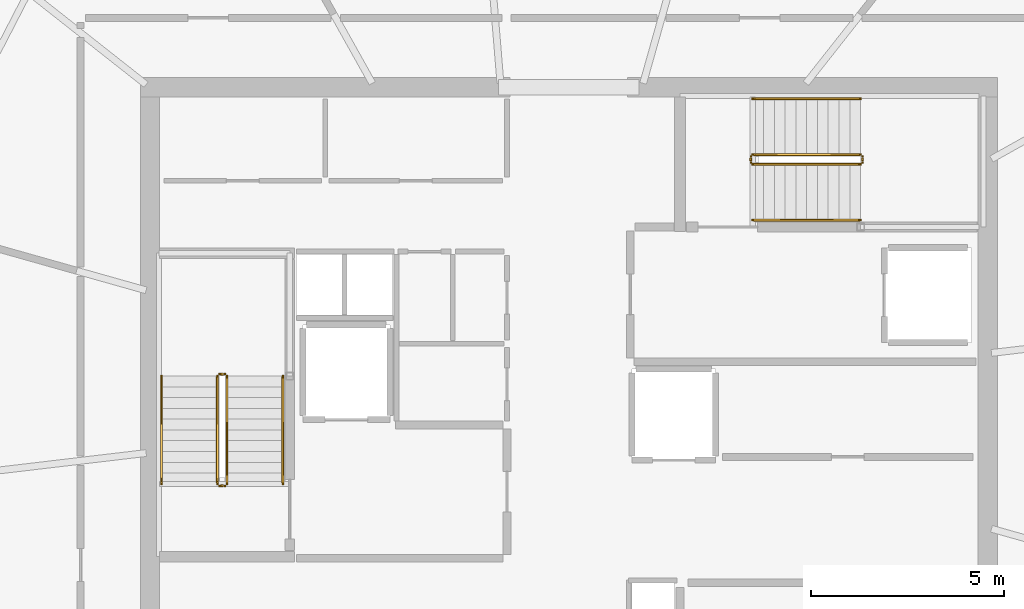
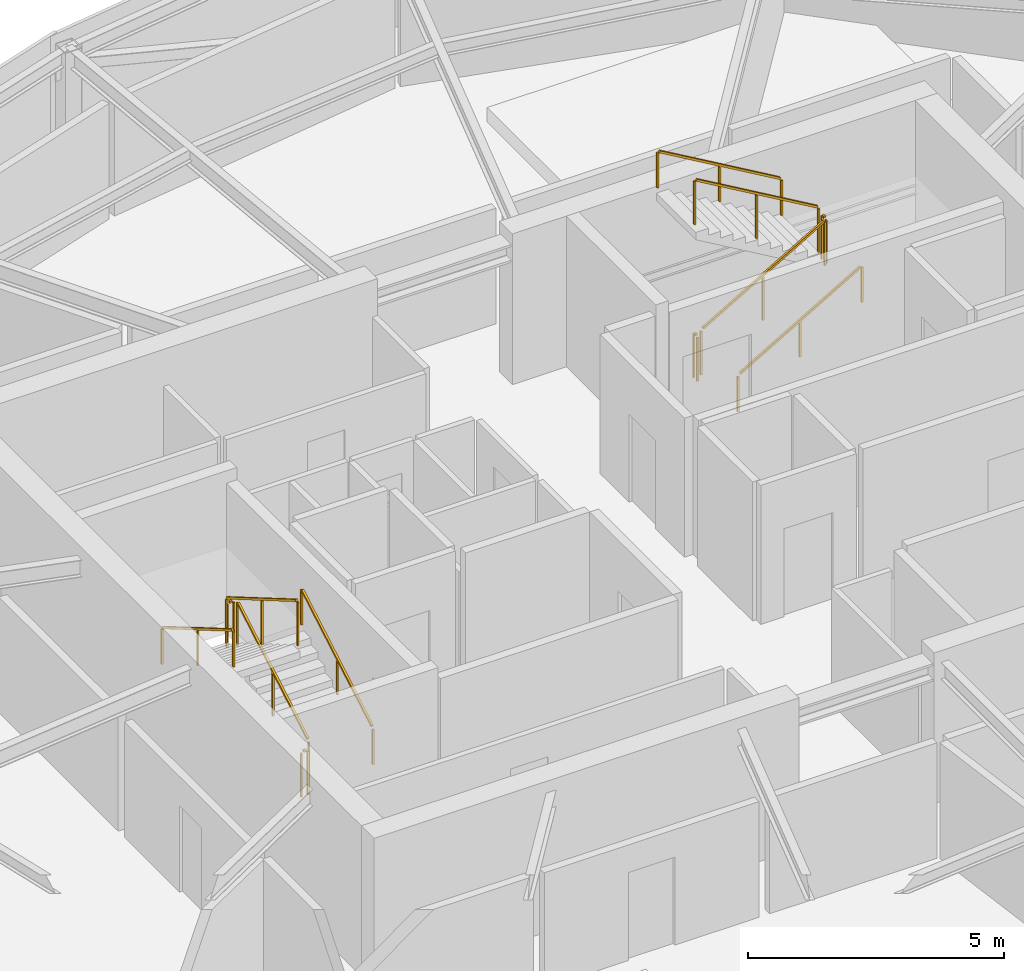
# One storey, part 10 of 10: 12 railings.
"""IFC4 building model written with IfcOpenShell, lengths in metres."""

from ifc_helpers import new_model, si_unit, direction, frame, origin, origin_2d, place, context, subcontext, project, spatial, rectangle, extrude, material, type_object, element, save


model = new_model("IFC4")

# Units and contexts
model_context = context("Model", 3, precision=1e-05, world=origin(), true_north=direction((0.0, 1.0)))
body_context = subcontext(model_context, "Body", "Model", "MODEL_VIEW")
ifc_project = project(units=[si_unit("LENGTHUNIT", "METRE"), si_unit("AREAUNIT", "SQUARE_METRE"), si_unit("VOLUMEUNIT", "CUBIC_METRE"), si_unit("PLANEANGLEUNIT", "RADIAN"), si_unit("MASSUNIT", "GRAM", prefix="KILO")], contexts=[model_context])

# Site, building, storey
site_placement = place(None, origin())
site = spatial("IfcSite", under=ifc_project, at=site_placement, CompositionType="ELEMENT")
building_placement = place(site_placement, origin())
building = spatial("IfcBuilding", under=site, at=building_placement, Name="Kazma Halo Residences", CompositionType="ELEMENT")
storey_placement = place(building_placement, frame((0.0, 0.0, 359.60009765625)))
storey = spatial("IfcBuildingStorey", under=building, at=storey_placement, Name="L90", CompositionType="ELEMENT", Elevation=359.60009765625)

# Railings
ifc_material_1 = material(Name="Painted Steel S355", Category="steel")
railing_type_1 = type_object("IfcRailingType", Name="RLG-STAIR-GRD-1100", PredefinedType="GUARDRAIL", material=ifc_material_1)
railing_1_placement = place(storey_placement, frame((39.550048828125, 39.949951171875, 0.16357421875)))
element("IfcRailing", 1, at=railing_1_placement, inside=storey, type_object=railing_type_1, Name="L90 ST-01 stair guard 1", PredefinedType="GUARDRAIL", context=body_context, shape_type="SweptSolid", body=[
    extrude(rectangle(XDim=0.050048828125, YDim=0.050048828125, at=origin_2d()), frame((0.0, 0.03662109375, 1.096435546875), z_axis=(0.0, 0.863393664356, 0.504530851732), x_axis=(-1.0, 0.0, 0.0)), (0.0, 0.0, 1.0), 3.157958984375),
    extrude(rectangle(XDim=0.0400390625, YDim=0.0400390625, at=origin_2d()), origin(), (0.0, 0.0, 1.0), 1.0380859375),
    extrude(rectangle(XDim=0.0400390625, YDim=0.0400390625, at=origin_2d()), frame((0.0, 1.39990234375, 0.818115234375)), (0.0, 0.0, 1.0), 1.0380859375),
    extrude(rectangle(XDim=0.0400390625, YDim=0.0400390625, at=origin_2d()), frame((0.0, 2.800048828125, 1.63623046875)), (0.0, 0.0, 1.0), 1.0380859375),
])
railing_2_placement = place(storey_placement, frame((39.5, 42.800048828125, 1.7998046875)))
element("IfcRailing", 2, at=railing_2_placement, inside=storey, type_object=railing_type_1, Name="L90 ST-01 stair guard 2", PredefinedType="GUARDRAIL", context=body_context, shape_type="SweptSolid", body=[
    extrude(rectangle(XDim=0.050048828125, YDim=0.050048828125, at=origin_2d()), frame((-0.04248046875, 0.0, 1.0751953125), z_axis=(-1.0, 0.0, 0.0), x_axis=(0.0, -1.0, 0.0)), (0.0, 0.0, 1.0), 0.06494140625),
    extrude(rectangle(XDim=0.0400390625, YDim=0.0400390625, at=origin_2d()), origin(), (0.0, 0.0, 1.0), 1.0380859375),
    extrude(rectangle(XDim=0.0400390625, YDim=0.0400390625, at=origin_2d()), frame((-0.14990234375, 0.0, 0.0)), (0.0, 0.0, 1.0), 1.0380859375),
])
railing_3_placement = place(storey_placement, frame((39.300048828125, 42.75, 1.963623046875)))
element("IfcRailing", 3, at=railing_3_placement, inside=storey, type_object=railing_type_1, Name="L90 ST-01 stair guard 3", PredefinedType="GUARDRAIL", context=body_context, shape_type="SweptSolid", body=[
    extrude(rectangle(XDim=0.050048828125, YDim=0.050048828125, at=origin_2d()), frame((0.0, -0.03662109375, 1.096435546875), z_axis=(0.0, -0.863393664356, 0.504530851732), x_axis=(1.0, 0.0, 0.0)), (0.0, 0.0, 1.0), 3.157958984375),
    extrude(rectangle(XDim=0.0400390625, YDim=0.0400390625, at=origin_2d()), origin(), (0.0, 0.0, 1.0), 1.0380859375),
    extrude(rectangle(XDim=0.0400390625, YDim=0.0400390625, at=origin_2d()), frame((0.0, -1.39990234375, 0.818115234375)), (0.0, 0.0, 1.0), 1.0380859375),
    extrude(rectangle(XDim=0.0400390625, YDim=0.0400390625, at=origin_2d()), frame((0.0, -2.800048828125, 1.63623046875)), (0.0, 0.0, 1.0), 1.0380859375),
])
railing_4_placement = place(storey_placement, frame((39.5, 39.89990234375, 0.0)))
element("IfcRailing", 4, at=railing_4_placement, inside=storey, type_object=railing_type_1, Name="L90 ST-01 stair guard 4", PredefinedType="GUARDRAIL", context=body_context, shape_type="SweptSolid", body=[
    extrude(rectangle(XDim=0.050048828125, YDim=0.050048828125, at=origin_2d()), frame((-0.04248046875, 0.0, 1.0751953125), z_axis=(-1.0, 0.0, 0.0), x_axis=(0.0, -1.0, 0.0)), (0.0, 0.0, 1.0), 0.06494140625),
    extrude(rectangle(XDim=0.0400390625, YDim=0.0400390625, at=origin_2d()), origin(), (0.0, 0.0, 1.0), 1.0380859375),
    extrude(rectangle(XDim=0.0400390625, YDim=0.0400390625, at=origin_2d()), frame((-0.14990234375, 0.0, 0.0)), (0.0, 0.0, 1.0), 1.0380859375),
])
railing_5_placement = place(storey_placement, frame((53.199951171875, 48.25, 0.16357421875)))
element("IfcRailing", 5, at=railing_5_placement, inside=storey, type_object=railing_type_1, Name="L90 ST-02 stair guard 1", PredefinedType="GUARDRAIL", context=body_context, shape_type="SweptSolid", body=[
    extrude(rectangle(XDim=0.050048828125, YDim=0.050048828125, at=origin_2d()), frame((0.03662109375, 0.0, 1.096435546875), z_axis=(0.863393664356, 0.0, 0.504530851732), x_axis=(0.0, 1.0, 0.0)), (0.0, 0.0, 1.0), 3.157958984375),
    extrude(rectangle(XDim=0.0400390625, YDim=0.0400390625, at=origin_2d()), origin(), (0.0, 0.0, 1.0), 1.0380859375),
    extrude(rectangle(XDim=0.0400390625, YDim=0.0400390625, at=origin_2d()), frame((1.39990234375, 0.0, 0.818115234375)), (0.0, 0.0, 1.0), 1.0380859375),
    extrude(rectangle(XDim=0.0400390625, YDim=0.0400390625, at=origin_2d()), frame((2.800048828125, 0.0, 1.63623046875)), (0.0, 0.0, 1.0), 1.0380859375),
])
railing_6_placement = place(storey_placement, frame((56.050048828125, 48.300048828125, 1.7998046875)))
element("IfcRailing", 6, at=railing_6_placement, inside=storey, type_object=railing_type_1, Name="L90 ST-02 stair guard 2", PredefinedType="GUARDRAIL", context=body_context, shape_type="SweptSolid", body=[
    extrude(rectangle(XDim=0.050048828125, YDim=0.050048828125, at=origin_2d()), frame((0.0, 0.04248046875, 1.0751953125), z_axis=(0.0, 1.0, 0.0), x_axis=(-1.0, 0.0, 0.0)), (0.0, 0.0, 1.0), 0.06494140625),
    extrude(rectangle(XDim=0.0400390625, YDim=0.0400390625, at=origin_2d()), origin(), (0.0, 0.0, 1.0), 1.0380859375),
    extrude(rectangle(XDim=0.0400390625, YDim=0.0400390625, at=origin_2d()), frame((0.0, 0.14990234375, 0.0)), (0.0, 0.0, 1.0), 1.0380859375),
])
railing_7_placement = place(storey_placement, frame((56.0, 48.5, 1.963623046875)))
element("IfcRailing", 7, at=railing_7_placement, inside=storey, type_object=railing_type_1, Name="L90 ST-02 stair guard 3", PredefinedType="GUARDRAIL", context=body_context, shape_type="SweptSolid", body=[
    extrude(rectangle(XDim=0.050048828125, YDim=0.050048828125, at=origin_2d()), frame((-0.03662109375, 0.0, 1.096435546875), z_axis=(-0.863393664356, 0.0, 0.504530851732), x_axis=(0.0, -1.0, 0.0)), (0.0, 0.0, 1.0), 3.157958984375),
    extrude(rectangle(XDim=0.0400390625, YDim=0.0400390625, at=origin_2d()), origin(), (0.0, 0.0, 1.0), 1.0380859375),
    extrude(rectangle(XDim=0.0400390625, YDim=0.0400390625, at=origin_2d()), frame((-1.39990234375, 0.0, 0.818115234375)), (0.0, 0.0, 1.0), 1.0380859375),
    extrude(rectangle(XDim=0.0400390625, YDim=0.0400390625, at=origin_2d()), frame((-2.800048828125, 0.0, 1.63623046875)), (0.0, 0.0, 1.0), 1.0380859375),
])
railing_8_placement = place(storey_placement, frame((53.14990234375, 48.300048828125, 0.0)))
element("IfcRailing", 8, at=railing_8_placement, inside=storey, type_object=railing_type_1, Name="L90 ST-02 stair guard 4", PredefinedType="GUARDRAIL", context=body_context, shape_type="SweptSolid", body=[
    extrude(rectangle(XDim=0.050048828125, YDim=0.050048828125, at=origin_2d()), frame((0.0, 0.04248046875, 1.0751953125), z_axis=(0.0, 1.0, 0.0), x_axis=(-1.0, 0.0, 0.0)), (0.0, 0.0, 1.0), 0.06494140625),
    extrude(rectangle(XDim=0.0400390625, YDim=0.0400390625, at=origin_2d()), origin(), (0.0, 0.0, 1.0), 1.0380859375),
    extrude(rectangle(XDim=0.0400390625, YDim=0.0400390625, at=origin_2d()), frame((0.0, 0.14990234375, 0.0)), (0.0, 0.0, 1.0), 1.0380859375),
])
ifc_material_2 = material(Name="Brushed Stainless Steel", Category="steel")
railing_type_2 = type_object("IfcRailingType", Name="RLG-STAIR-HND-900", PredefinedType="HANDRAIL", material=ifc_material_2)
railing_9_placement = place(storey_placement, frame((41.0, 39.949951171875, 0.16357421875)))
element("IfcRailing", 9, at=railing_9_placement, inside=storey, type_object=railing_type_2, Name="L90 ST-01 stair handrail 1", PredefinedType="HANDRAIL", context=body_context, shape_type="SweptSolid", body=[
    extrude(rectangle(XDim=0.050048828125, YDim=0.050048828125, at=origin_2d()), frame((0.0, 0.03662109375, 0.896240234375), z_axis=(0.0, 0.863393664356, 0.504530851732), x_axis=(-1.0, 0.0, 0.0)), (0.0, 0.0, 1.0), 3.157958984375),
    extrude(rectangle(XDim=0.0400390625, YDim=0.0400390625, at=origin_2d()), origin(), (0.0, 0.0, 1.0), 0.837890625),
    extrude(rectangle(XDim=0.0400390625, YDim=0.0400390625, at=origin_2d()), frame((0.0, 1.39990234375, 0.818115234375)), (0.0, 0.0, 1.0), 0.837890625),
    extrude(rectangle(XDim=0.0400390625, YDim=0.0400390625, at=origin_2d()), frame((0.0, 2.800048828125, 1.63623046875)), (0.0, 0.0, 1.0), 0.837890625),
])
railing_10_placement = place(storey_placement, frame((37.85009765625, 42.75, 1.963623046875)))
element("IfcRailing", 10, at=railing_10_placement, inside=storey, type_object=railing_type_2, Name="L90 ST-01 stair handrail 2", PredefinedType="HANDRAIL", context=body_context, shape_type="SweptSolid", body=[
    extrude(rectangle(XDim=0.050048828125, YDim=0.050048828125, at=origin_2d()), frame((0.0, -0.03662109375, 0.896240234375), z_axis=(0.0, -0.863393664356, 0.504530851732), x_axis=(1.0, 0.0, 0.0)), (0.0, 0.0, 1.0), 3.157958984375),
    extrude(rectangle(XDim=0.0400390625, YDim=0.0400390625, at=origin_2d()), origin(), (0.0, 0.0, 1.0), 0.837890625),
    extrude(rectangle(XDim=0.0400390625, YDim=0.0400390625, at=origin_2d()), frame((0.0, -1.39990234375, 0.818115234375)), (0.0, 0.0, 1.0), 0.837890625),
    extrude(rectangle(XDim=0.0400390625, YDim=0.0400390625, at=origin_2d()), frame((0.0, -2.800048828125, 1.63623046875)), (0.0, 0.0, 1.0), 0.837890625),
])
railing_11_placement = place(storey_placement, frame((53.199951171875, 46.800048828125, 0.16357421875)))
element("IfcRailing", 11, at=railing_11_placement, inside=storey, type_object=railing_type_2, Name="L90 ST-02 stair handrail 1", PredefinedType="HANDRAIL", context=body_context, shape_type="SweptSolid", body=[
    extrude(rectangle(XDim=0.050048828125, YDim=0.050048828125, at=origin_2d()), frame((0.03662109375, 0.0, 0.896240234375), z_axis=(0.863393664356, 0.0, 0.504530851732), x_axis=(0.0, 1.0, 0.0)), (0.0, 0.0, 1.0), 3.157958984375),
    extrude(rectangle(XDim=0.0400390625, YDim=0.0400390625, at=origin_2d()), origin(), (0.0, 0.0, 1.0), 0.837890625),
    extrude(rectangle(XDim=0.0400390625, YDim=0.0400390625, at=origin_2d()), frame((1.39990234375, 0.0, 0.818115234375)), (0.0, 0.0, 1.0), 0.837890625),
    extrude(rectangle(XDim=0.0400390625, YDim=0.0400390625, at=origin_2d()), frame((2.800048828125, 0.0, 1.63623046875)), (0.0, 0.0, 1.0), 0.837890625),
])
railing_12_placement = place(storey_placement, frame((56.0, 49.949951171875, 1.963623046875)))
element("IfcRailing", 12, at=railing_12_placement, inside=storey, type_object=railing_type_2, Name="L90 ST-02 stair handrail 2", PredefinedType="HANDRAIL", context=body_context, shape_type="SweptSolid", body=[
    extrude(rectangle(XDim=0.050048828125, YDim=0.050048828125, at=origin_2d()), frame((-0.03662109375, 0.0, 0.896240234375), z_axis=(-0.863393664356, 0.0, 0.504530851732), x_axis=(0.0, -1.0, 0.0)), (0.0, 0.0, 1.0), 3.157958984375),
    extrude(rectangle(XDim=0.0400390625, YDim=0.0400390625, at=origin_2d()), origin(), (0.0, 0.0, 1.0), 0.837890625),
    extrude(rectangle(XDim=0.0400390625, YDim=0.0400390625, at=origin_2d()), frame((-1.39990234375, 0.0, 0.818115234375)), (0.0, 0.0, 1.0), 0.837890625),
    extrude(rectangle(XDim=0.0400390625, YDim=0.0400390625, at=origin_2d()), frame((-2.800048828125, 0.0, 1.63623046875)), (0.0, 0.0, 1.0), 0.837890625),
])

save(model, "model.ifc")
